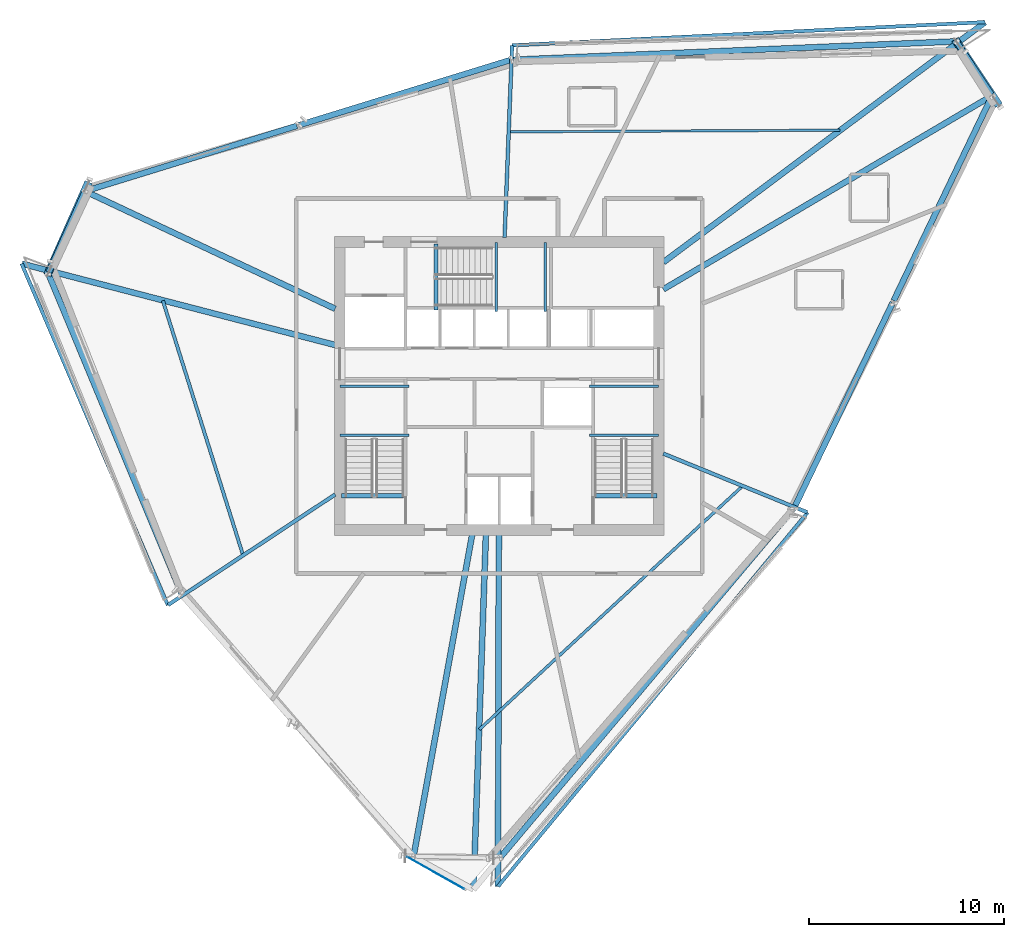
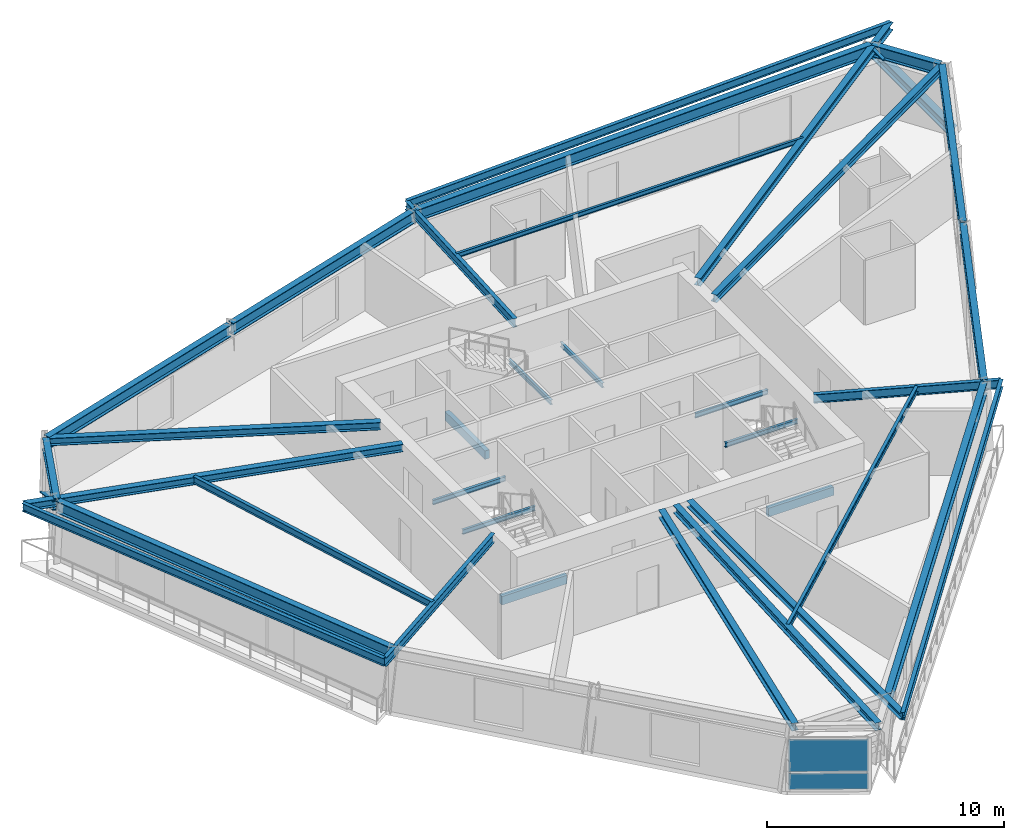
# One storey, part 3 of 13: 34 beams, 2 members, 2 plates, 1 element without a shape of its own.
"""IFC4 building model written with IfcOpenShell, lengths in metres."""

from ifc_helpers import new_model, si_unit, direction, frame, origin, origin_2d, place, context, subcontext, project, spatial, rectangle, i_section, extrude, source, transform, mapped, material, material_profile, profile_set, type_object, element, aggregate, save


model = new_model("IFC4")

# Units and contexts
model_context = context("Model", 3, precision=1e-05, world=origin(), true_north=direction((0.0, 1.0)))
body_context = subcontext(model_context, "Body", "Model", "MODEL_VIEW")
ifc_project = project(units=[si_unit("LENGTHUNIT", "METRE"), si_unit("AREAUNIT", "SQUARE_METRE"), si_unit("VOLUMEUNIT", "CUBIC_METRE"), si_unit("PLANEANGLEUNIT", "RADIAN"), si_unit("MASSUNIT", "GRAM", prefix="KILO")], contexts=[model_context])

# Site, building, storey
site_placement = place(None, origin())
site = spatial("IfcSite", under=ifc_project, at=site_placement, CompositionType="ELEMENT")
building_placement = place(site_placement, origin())
building = spatial("IfcBuilding", under=site, at=building_placement, Name="Olszyna Solenne Hotel", CompositionType="ELEMENT")
storey_placement = place(building_placement, frame((0.0, 0.0, 167.89990234375)))
storey = spatial("IfcBuildingStorey", under=building, at=storey_placement, Name="L44", CompositionType="ELEMENT", Elevation=167.89990234375)

# Beams
ifc_material_1 = material(Name="Steel S355J2", Category="steel")
ifc_material_profile_1 = material_profile(ifc_material_1, i_section(OverallWidth=0.300048828125, OverallDepth=0.60009765625, WebThickness=0.015380859375, FlangeThickness=0.030029296875, at=origin_2d()), Name="HEB 600", Category="load-bearing")
ifc_profile_set_1 = profile_set([ifc_material_profile_1], Name="Steel S355J2")
beam_type_1 = type_object("IfcBeamType", Name="BM-S2", PredefinedType="BEAM", material=ifc_profile_set_1)
shared_shape_1 = source(origin(), body_context, "Body", "SweptSolid", [
    extrude(i_section(OverallWidth=0.300048828125, OverallDepth=0.60009765625, WebThickness=0.015380859375, FlangeThickness=0.030029296875, at=origin_2d()), origin(), (0.0, 0.0, 1.0), 3.208984375),
])
beam_1_placement = place(storey_placement, frame((63.215576171875, 41.522705078125, 3.030029296875), z_axis=(-0.551201466386, 0.834372185211, 0.0), x_axis=(-0.834372185211, -0.551201466386, 0.0)))
element("IfcBeam", 1, at=beam_1_placement, inside=storey, type_object=beam_type_1, Name="Perimeter spandrel beam BM-S2 B-L44-1304", PredefinedType="BEAM", context=body_context, shape_type="MappedRepresentation", body=[
    mapped(shared_shape_1, transform((0.0, 0.0, 0.0), x_axis=(1.0, 0.0, 0.0), y_axis=(0.0, 1.0, 0.0), z_axis=(0.0, 0.0, 1.0), scale=1.0)),
])
shared_shape_2 = source(origin(), body_context, "Body", "SweptSolid", [
    extrude(i_section(OverallWidth=0.300048828125, OverallDepth=0.60009765625, WebThickness=0.015380859375, FlangeThickness=0.030029296875, at=origin_2d()), origin(), (0.0, 0.0, 1.0), 22.71337890625),
])
beam_2_placement = place(storey_placement, frame((61.353759765625, 44.247802734375, 3.030029296875), z_axis=(-0.999144251363, -0.04136139466, 0.0), x_axis=(0.04136139466, -0.999144251363, 0.0)))
element("IfcBeam", 2, at=beam_2_placement, inside=storey, type_object=beam_type_1, Name="Perimeter spandrel beam BM-S2 B-L44-1305", PredefinedType="BEAM", context=body_context, shape_type="MappedRepresentation", body=[
    mapped(shared_shape_2, transform((0.0, 0.0, 0.0), x_axis=(1.0, 0.0, 0.0), y_axis=(0.0, 1.0, 0.0), z_axis=(0.0, 0.0, 1.0), scale=1.0)),
])
shared_shape_3 = source(origin(), body_context, "Body", "SweptSolid", [
    extrude(i_section(OverallWidth=0.300048828125, OverallDepth=0.60009765625, WebThickness=0.015380859375, FlangeThickness=0.030029296875, at=origin_2d()), origin(), (0.0, 0.0, 1.0), 11.296630859375),
])
for number, where, z_axis, x_axis, name in (
    (3, (38.542724609375, 43.2880859375, 3.030029296875), (-0.955610162413, -0.294634039943, 0.0), (0.294634039943, -0.955610162413, 0.0), "Perimeter spandrel beam BM-S2 B-L44-1306"),
    (4, (27.633056640625, 39.92431640625, 3.030029296875), (-0.955604077324, -0.294653775476, 0.0), (0.294653775476, -0.955604077324, 0.0), "Perimeter spandrel beam BM-S2 B-L44-1307"),
):
    element("IfcBeam", number, at=place(storey_placement, frame(where, z_axis=z_axis, x_axis=x_axis)), inside=storey, type_object=beam_type_1, Name=name, PredefinedType="BEAM", context=body_context, shape_type="MappedRepresentation", body=[
        mapped(shared_shape_3, transform((0.0, 0.0, 0.0), x_axis=(1.0, 0.0, 0.0), y_axis=(0.0, 1.0, 0.0), z_axis=(0.0, 0.0, 1.0), scale=1.0)),
    ])
shared_shape_4 = source(origin(), body_context, "Body", "SweptSolid", [
    extrude(i_section(OverallWidth=0.300048828125, OverallDepth=0.60009765625, WebThickness=0.015380859375, FlangeThickness=0.030029296875, at=origin_2d()), origin(), (0.0, 0.0, 1.0), 4.493896484375),
])
beam_3_placement = place(storey_placement, frame((16.756103515625, 36.523193359375, 3.030029296875), z_axis=(-0.408269566495, -0.912861413947, 0.0), x_axis=(0.912861413947, -0.408269566495, 0.0)))
element("IfcBeam", 5, at=beam_3_placement, inside=storey, type_object=beam_type_1, Name="Perimeter spandrel beam BM-S2 B-L44-1308", PredefinedType="BEAM", context=body_context, shape_type="MappedRepresentation", body=[
    mapped(shared_shape_4, transform((0.0, 0.0, 0.0), x_axis=(1.0, 0.0, 0.0), y_axis=(0.0, 1.0, 0.0), z_axis=(0.0, 0.0, 1.0), scale=1.0)),
])
shared_shape_5 = source(origin(), body_context, "Body", "SweptSolid", [
    extrude(i_section(OverallWidth=0.300048828125, OverallDepth=0.60009765625, WebThickness=0.015380859375, FlangeThickness=0.030029296875, at=origin_2d()), origin(), (0.0, 0.0, 1.0), 17.751708984375),
])
beam_4_placement = place(storey_placement, frame((14.919921875, 32.310791015625, 3.030029296875), z_axis=(0.384327285518, -0.92319691161, 0.0), x_axis=(0.92319691161, 0.384327285518, 0.0)))
element("IfcBeam", 6, at=beam_4_placement, inside=storey, type_object=beam_type_1, Name="Perimeter spandrel beam BM-S2 B-L44-1309", PredefinedType="BEAM", context=body_context, shape_type="MappedRepresentation", body=[
    mapped(shared_shape_5, transform((0.0, 0.0, 0.0), x_axis=(1.0, 0.0, 0.0), y_axis=(0.0, 1.0, 0.0), z_axis=(0.0, 0.0, 1.0), scale=1.0)),
])
shared_shape_6 = source(origin(), body_context, "Body", "SweptSolid", [
    extrude(i_section(OverallWidth=0.300048828125, OverallDepth=0.60009765625, WebThickness=0.015380859375, FlangeThickness=0.030029296875, at=origin_2d()), origin(), (0.0, 0.0, 1.0), 23.28955078125),
])
beam_5_placement = place(storey_placement, frame((38.0908203125, 2.496826171875, 3.030029296875), z_axis=(0.64347083342, 0.765470630748, 0.0), x_axis=(-0.765470630748, 0.64347083342, 0.0)))
element("IfcBeam", 7, at=beam_5_placement, inside=storey, type_object=beam_type_1, Name="Perimeter spandrel beam BM-S2 B-L44-1313", PredefinedType="BEAM", context=body_context, shape_type="MappedRepresentation", body=[
    mapped(shared_shape_6, transform((0.0, 0.0, 0.0), x_axis=(1.0, 0.0, 0.0), y_axis=(0.0, 1.0, 0.0), z_axis=(0.0, 0.0, 1.0), scale=1.0)),
])
shared_shape_7 = source(origin(), body_context, "Body", "SweptSolid", [
    extrude(i_section(OverallWidth=0.300048828125, OverallDepth=0.60009765625, WebThickness=0.015380859375, FlangeThickness=0.030029296875, at=origin_2d()), origin(), (0.0, 0.0, 1.0), 11.58447265625),
])
for number, where, z_axis, x_axis, name in (
    (8, (53.141357421875, 20.42431640625, 3.030029296875), (0.432876310888, 0.901453326286, 0.0), (-0.901453326286, 0.432876310888, 0.0), "Perimeter spandrel beam BM-S2 B-L44-1314"),
    (9, (58.2080078125, 30.9755859375, 3.030029296875), (0.432876310888, 0.901453326286, 0.0), (-0.901453326286, 0.432876310888, 0.0), "Perimeter spandrel beam BM-S2 B-L44-1315"),
):
    element("IfcBeam", number, at=place(storey_placement, frame(where, z_axis=z_axis, x_axis=x_axis)), inside=storey, type_object=beam_type_1, Name=name, PredefinedType="BEAM", context=body_context, shape_type="MappedRepresentation", body=[
        mapped(shared_shape_7, transform((0.0, 0.0, 0.0), x_axis=(1.0, 0.0, 0.0), y_axis=(0.0, 1.0, 0.0), z_axis=(0.0, 0.0, 1.0), scale=1.0)),
    ])
ifc_material_profile_2 = material_profile(ifc_material_1, i_section(OverallWidth=0.300048828125, OverallDepth=0.389892578125, WebThickness=0.010986328125, FlangeThickness=0.01904296875, at=origin_2d()), Name="HEA 400", Category="load-bearing")
ifc_profile_set_2 = profile_set([ifc_material_profile_2], Name="Steel S355J2")
beam_type_2 = type_object("IfcBeamType", Name="BM-G2", PredefinedType="BEAM", material=ifc_profile_set_2)
shared_shape_8 = source(origin(), body_context, "Body", "SweptSolid", [
    extrude(i_section(OverallWidth=0.300048828125, OverallDepth=0.389892578125, WebThickness=0.010986328125, FlangeThickness=0.01904296875, at=origin_2d()), origin(), (0.0, 0.0, 1.0), 19.486328125),
])
beam_6_placement = place(storey_placement, frame((63.197021484375, 41.442138671875, 3.135009765625), z_axis=(-0.861628085849, -0.507540187253, 0.0), x_axis=(0.507540187253, -0.861628085849, 0.0)))
element("IfcBeam", 10, at=beam_6_placement, inside=storey, type_object=beam_type_2, Name="Radial floor girder BM-G2 B-L44-1316", PredefinedType="BEAM", context=body_context, shape_type="MappedRepresentation", body=[
    mapped(shared_shape_8, transform((0.0, 0.0, 0.0), x_axis=(1.0, 0.0, 0.0), y_axis=(0.0, 1.0, 0.0), z_axis=(0.0, 0.0, 1.0), scale=1.0)),
])
shared_shape_9 = source(origin(), body_context, "Body", "SweptSolid", [
    extrude(i_section(OverallWidth=0.300048828125, OverallDepth=0.389892578125, WebThickness=0.010986328125, FlangeThickness=0.01904296875, at=origin_2d()), origin(), (0.0, 0.0, 1.0), 20.54736328125),
])
beam_7_placement = place(storey_placement, frame((62.87890625, 45.22705078125, 3.135009765625), z_axis=(-0.801503151116, -0.59799055072, 0.0), x_axis=(0.59799055072, -0.801503151116, 0.0)))
element("IfcBeam", 11, at=beam_7_placement, inside=storey, type_object=beam_type_2, Name="Radial floor girder BM-G2 B-L44-1317", PredefinedType="BEAM", context=body_context, shape_type="MappedRepresentation", body=[
    mapped(shared_shape_9, transform((0.0, 0.0, 0.0), x_axis=(1.0, 0.0, 0.0), y_axis=(0.0, 1.0, 0.0), z_axis=(0.0, 0.0, 1.0), scale=1.0)),
])
ifc_material_profile_3 = material_profile(ifc_material_1, i_section(OverallWidth=0.18994140625, OverallDepth=0.449951171875, WebThickness=0.009521484375, FlangeThickness=0.0146484375, at=origin_2d()), Name="IPE 450", Category="load-bearing")
ifc_profile_set_3 = profile_set([ifc_material_profile_3], Name="Steel S355J2")
beam_type_3 = type_object("IfcBeamType", Name="BM-F4", PredefinedType="BEAM", material=ifc_profile_set_3)
shared_shape_10 = source(origin(), body_context, "Body", "SweptSolid", [
    extrude(i_section(OverallWidth=0.18994140625, OverallDepth=0.449951171875, WebThickness=0.009521484375, FlangeThickness=0.0146484375, at=origin_2d()), origin(), (0.0, 0.0, 1.0), 9.837646484375),
])
beam_8_placement = place(storey_placement, frame((38.658447265625, 44.030029296875, 3.10498046875), z_axis=(-0.039186052556, -0.999231931678, 0.0), x_axis=(0.999231931678, -0.039186052556, 0.0)))
element("IfcBeam", 12, at=beam_8_placement, inside=storey, type_object=beam_type_3, Name="Radial floor girder BM-F4 B-L44-1318", PredefinedType="BEAM", context=body_context, shape_type="MappedRepresentation", body=[
    mapped(shared_shape_10, transform((0.0, 0.0, 0.0), x_axis=(1.0, 0.0, 0.0), y_axis=(0.0, 1.0, 0.0), z_axis=(0.0, 0.0, 1.0), scale=1.0)),
])
shared_shape_11 = source(origin(), body_context, "Body", "SweptSolid", [
    extrude(i_section(OverallWidth=0.300048828125, OverallDepth=0.389892578125, WebThickness=0.010986328125, FlangeThickness=0.01904296875, at=origin_2d()), origin(), (0.0, 0.0, 1.0), 14.1005859375),
])
beam_9_placement = place(storey_placement, frame((16.8349609375, 36.552490234375, 3.135009765625), z_axis=(0.904943835431, -0.425531026736, 0.0), x_axis=(0.425531026736, 0.904943835431, 0.0)))
element("IfcBeam", 13, at=beam_9_placement, inside=storey, type_object=beam_type_2, Name="Radial floor girder BM-G2 B-L44-1319", PredefinedType="BEAM", context=body_context, shape_type="MappedRepresentation", body=[
    mapped(shared_shape_11, transform((0.0, 0.0, 0.0), x_axis=(1.0, 0.0, 0.0), y_axis=(0.0, 1.0, 0.0), z_axis=(0.0, 0.0, 1.0), scale=1.0)),
])
shared_shape_12 = source(origin(), body_context, "Body", "SweptSolid", [
    extrude(i_section(OverallWidth=0.300048828125, OverallDepth=0.389892578125, WebThickness=0.010986328125, FlangeThickness=0.01904296875, at=origin_2d()), origin(), (0.0, 0.0, 1.0), 16.576904296875),
])
beam_10_placement = place(storey_placement, frame((13.552978515625, 32.861083984375, 3.135009765625), z_axis=(0.967936179478, -0.25119624292, 0.0), x_axis=(0.25119624292, 0.967936179478, 0.0)))
element("IfcBeam", 14, at=beam_10_placement, inside=storey, type_object=beam_type_2, Name="Radial floor girder BM-G2 B-L44-1320", PredefinedType="BEAM", context=body_context, shape_type="MappedRepresentation", body=[
    mapped(shared_shape_12, transform((0.0, 0.0, 0.0), x_axis=(1.0, 0.0, 0.0), y_axis=(0.0, 1.0, 0.0), z_axis=(0.0, 0.0, 1.0), scale=1.0)),
])
shared_shape_13 = source(origin(), body_context, "Body", "SweptSolid", [
    extrude(i_section(OverallWidth=0.18994140625, OverallDepth=0.449951171875, WebThickness=0.009521484375, FlangeThickness=0.0146484375, at=origin_2d()), origin(), (0.0, 0.0, 1.0), 10.25244140625),
])
beam_11_placement = place(storey_placement, frame((21.04150390625, 15.383544921875, 3.10498046875), z_axis=(0.833968626715, 0.551811860741, 0.0), x_axis=(-0.551811860741, 0.833968626715, 0.0)))
element("IfcBeam", 15, at=beam_11_placement, inside=storey, type_object=beam_type_3, Name="Radial floor girder BM-F4 B-L44-1321", PredefinedType="BEAM", context=body_context, shape_type="MappedRepresentation", body=[
    mapped(shared_shape_13, transform((0.0, 0.0, 0.0), x_axis=(1.0, 0.0, 0.0), y_axis=(0.0, 1.0, 0.0), z_axis=(0.0, 0.0, 1.0), scale=1.0)),
])
shared_shape_14 = source(origin(), body_context, "Body", "SweptSolid", [
    extrude(i_section(OverallWidth=0.300048828125, OverallDepth=0.389892578125, WebThickness=0.010986328125, FlangeThickness=0.01904296875, at=origin_2d()), origin(), (0.0, 0.0, 1.0), 16.72900390625),
])
beam_12_placement = place(storey_placement, frame((33.61865234375, 2.541015625, 3.135009765625), z_axis=(0.17915512737, 0.983820837519, 0.0), x_axis=(-0.983820837519, 0.17915512737, 0.0)))
element("IfcBeam", 16, at=beam_12_placement, inside=storey, type_object=beam_type_2, Name="Radial floor girder BM-G2 B-L44-1322", PredefinedType="BEAM", context=body_context, shape_type="MappedRepresentation", body=[
    mapped(shared_shape_14, transform((0.0, 0.0, 0.0), x_axis=(1.0, 0.0, 0.0), y_axis=(0.0, 1.0, 0.0), z_axis=(0.0, 0.0, 1.0), scale=1.0)),
])
shared_shape_15 = source(origin(), body_context, "Body", "SweptSolid", [
    extrude(i_section(OverallWidth=0.300048828125, OverallDepth=0.389892578125, WebThickness=0.010986328125, FlangeThickness=0.01904296875, at=origin_2d()), origin(), (0.0, 0.0, 1.0), 18.19091796875),
])
beam_13_placement = place(storey_placement, frame((36.680419921875, 0.820068359375, 3.135009765625), z_axis=(0.034975365054, 0.999388174755, 0.0), x_axis=(-0.999388174755, 0.034975365054, 0.0)))
element("IfcBeam", 17, at=beam_13_placement, inside=storey, type_object=beam_type_2, Name="Radial floor girder BM-G2 B-L44-1323", PredefinedType="BEAM", context=body_context, shape_type="MappedRepresentation", body=[
    mapped(shared_shape_15, transform((0.0, 0.0, 0.0), x_axis=(1.0, 0.0, 0.0), y_axis=(0.0, 1.0, 0.0), z_axis=(0.0, 0.0, 1.0), scale=1.0)),
])
shared_shape_16 = source(origin(), body_context, "Body", "SweptSolid", [
    extrude(i_section(OverallWidth=0.18994140625, OverallDepth=0.449951171875, WebThickness=0.009521484375, FlangeThickness=0.0146484375, at=origin_2d()), origin(), (0.0, 0.0, 1.0), 7.96484375),
])
beam_14_placement = place(storey_placement, frame((53.778564453125, 20.1279296875, 3.10498046875), z_axis=(-0.925916133957, 0.377729152804, 0.0), x_axis=(-0.377729152804, -0.925916133957, 0.0)))
element("IfcBeam", 18, at=beam_14_placement, inside=storey, type_object=beam_type_3, Name="Radial floor girder BM-F4 B-L44-1324", PredefinedType="BEAM", context=body_context, shape_type="MappedRepresentation", body=[
    mapped(shared_shape_16, transform((0.0, 0.0, 0.0), x_axis=(1.0, 0.0, 0.0), y_axis=(0.0, 1.0, 0.0), z_axis=(0.0, 0.0, 1.0), scale=1.0)),
])
ifc_material_profile_4 = material_profile(ifc_material_1, i_section(OverallWidth=0.300048828125, OverallDepth=0.31005859375, WebThickness=0.009033203125, FlangeThickness=0.015380859375, at=origin_2d()), Name="HEA 320", Category="load-bearing")
ifc_profile_set_4 = profile_set([ifc_material_profile_4], Name="Steel S355J2")
beam_type_4 = type_object("IfcBeamType", Name="BM-G3", PredefinedType="BEAM", material=ifc_profile_set_4)
shared_shape_17 = source(origin(), body_context, "Body", "SweptSolid", [
    extrude(i_section(OverallWidth=0.300048828125, OverallDepth=0.31005859375, WebThickness=0.009033203125, FlangeThickness=0.015380859375, at=origin_2d()), origin(), (0.0, 0.0, 1.0), 18.03759765625),
])
beam_15_placement = place(storey_placement, frame((37.93408203125, 0.96240234375, 3.175048828125), z_axis=(0.002571659832, 0.999996693277, 0.0), x_axis=(-0.999996693277, 0.002571659832, 0.0)))
element("IfcBeam", 19, at=beam_15_placement, inside=storey, type_object=beam_type_4, Name="Loggia/prism radial back-span girder BM-G3 B-L44-1327", PredefinedType="BEAM", context=body_context, shape_type="MappedRepresentation", body=[
    mapped(shared_shape_17, transform((0.0, 0.0, 0.0), x_axis=(1.0, 0.0, 0.0), y_axis=(0.0, 1.0, 0.0), z_axis=(0.0, 0.0, 1.0), scale=1.0)),
])
ifc_material_profile_5 = material_profile(ifc_material_1, i_section(OverallWidth=0.1201171875, OverallDepth=0.239990234375, WebThickness=0.006103515625, FlangeThickness=0.009765625, at=origin_2d()), Name="IPE 240", Category="load-bearing")
ifc_profile_set_5 = profile_set([ifc_material_profile_5], Name="Steel S355J2")
beam_type_5 = type_object("IfcBeamType", Name="JS-03", PredefinedType="JOIST", material=ifc_profile_set_5)
shared_shape_18 = source(origin(), body_context, "Body", "SweptSolid", [
    extrude(i_section(OverallWidth=0.1201171875, OverallDepth=0.239990234375, WebThickness=0.006103515625, FlangeThickness=0.009765625, at=origin_2d()), origin(), (0.0, 0.0, 1.0), 16.95166015625),
])
beam_16_placement = place(storey_placement, frame((55.456787109375, 39.704345703125, 3.210205078125), z_axis=(-0.999986929677, -0.00511277577, 0.0), x_axis=(0.00511277577, -0.999986929677, 0.0)))
element("IfcBeam", 20, at=beam_16_placement, inside=storey, type_object=beam_type_5, Name="Secondary composite floor joist JS-03 B-L44-1328", PredefinedType="JOIST", context=body_context, shape_type="MappedRepresentation", body=[
    mapped(shared_shape_18, transform((0.0, 0.0, 0.0), x_axis=(1.0, 0.0, 0.0), y_axis=(0.0, 1.0, 0.0), z_axis=(0.0, 0.0, 1.0), scale=1.0)),
])
ifc_material_profile_6 = material_profile(ifc_material_1, i_section(OverallWidth=0.169921875, OverallDepth=0.360107421875, WebThickness=0.008056640625, FlangeThickness=0.0126953125, at=origin_2d()), Name="IPE 360", Category="load-bearing")
ifc_profile_set_6 = profile_set([ifc_material_profile_6], Name="Steel S355J2")
beam_type_6 = type_object("IfcBeamType", Name="JS-01", PredefinedType="JOIST", material=ifc_profile_set_6)
shared_shape_19 = source(origin(), body_context, "Body", "SweptSolid", [
    extrude(i_section(OverallWidth=0.169921875, OverallDepth=0.360107421875, WebThickness=0.008056640625, FlangeThickness=0.0126953125, at=origin_2d()), origin(), (0.0, 0.0, 1.0), 13.659912109375),
])
beam_17_placement = place(storey_placement, frame((20.768798828125, 30.970703125, 3.150146484375), z_axis=(0.300533398297, -0.95377129151, 0.0), x_axis=(0.95377129151, 0.300533398297, 0.0)))
element("IfcBeam", 21, at=beam_17_placement, inside=storey, type_object=beam_type_6, Name="Secondary composite floor joist JS-01 B-L44-1329", PredefinedType="JOIST", context=body_context, shape_type="MappedRepresentation", body=[
    mapped(shared_shape_19, transform((0.0, 0.0, 0.0), x_axis=(1.0, 0.0, 0.0), y_axis=(0.0, 1.0, 0.0), z_axis=(0.0, 0.0, 1.0), scale=1.0)),
])
ifc_material_profile_7 = material_profile(ifc_material_1, i_section(OverallWidth=0.14990234375, OverallDepth=0.300048828125, WebThickness=0.007080078125, FlangeThickness=0.0107421875, at=origin_2d()), Name="IPE 300", Category="load-bearing")
ifc_profile_set_7 = profile_set([ifc_material_profile_7], Name="Steel S355J2")
beam_type_7 = type_object("IfcBeamType", Name="JS-02", PredefinedType="JOIST", material=ifc_profile_set_7)
shared_shape_20 = source(origin(), body_context, "Body", "SweptSolid", [
    extrude(i_section(OverallWidth=0.14990234375, OverallDepth=0.300048828125, WebThickness=0.007080078125, FlangeThickness=0.0107421875, at=origin_2d()), origin(), (0.0, 0.0, 1.0), 18.352783203125),
])
beam_18_placement = place(storey_placement, frame((36.98095703125, 9.00341796875, 3.18017578125), z_axis=(0.73419011463, 0.678943941412, 0.0), x_axis=(-0.678943941412, 0.73419011463, 0.0)))
element("IfcBeam", 22, at=beam_18_placement, inside=storey, type_object=beam_type_7, Name="Secondary composite floor joist JS-02 B-L44-1330", PredefinedType="JOIST", context=body_context, shape_type="MappedRepresentation", body=[
    mapped(shared_shape_20, transform((0.0, 0.0, 0.0), x_axis=(1.0, 0.0, 0.0), y_axis=(0.0, 1.0, 0.0), z_axis=(0.0, 0.0, 1.0), scale=1.0)),
])
ifc_material_profile_8 = material_profile(ifc_material_1, i_section(OverallWidth=0.179931640625, OverallDepth=0.39990234375, WebThickness=0.008544921875, FlangeThickness=0.013427734375, at=origin_2d()), Name="IPE 400", Category="load-bearing")
ifc_profile_set_8 = profile_set([ifc_material_profile_8], Name="Steel S355J2")
beam_type_8 = type_object("IfcBeamType", Name="BM-F5", PredefinedType="BEAM", material=ifc_profile_set_8)
shared_shape_21 = source(origin(), body_context, "Body", "SweptSolid", [
    extrude(i_section(OverallWidth=0.179931640625, OverallDepth=0.39990234375, WebThickness=0.008544921875, FlangeThickness=0.013427734375, at=origin_2d()), origin(), (0.0, 0.0, 1.0), 24.264892578125),
])
beam_19_placement = place(storey_placement, frame((62.89501953125, 45.239013671875, 3.130126953125), z_axis=(-0.998798817949, -0.048999196569, 0.0), x_axis=(0.048999196569, -0.998798817949, 0.0)))
element("IfcBeam", 23, at=beam_19_placement, inside=storey, type_object=beam_type_8, Name="Loggia outer edge beam BM-F5 B-L44-1331", PredefinedType="BEAM", context=body_context, shape_type="MappedRepresentation", body=[
    mapped(shared_shape_21, transform((0.0, 0.0, 0.0), x_axis=(1.0, 0.0, 0.0), y_axis=(0.0, 1.0, 0.0), z_axis=(0.0, 0.0, 1.0), scale=1.0)),
])
shared_shape_22 = source(origin(), body_context, "Body", "SweptSolid", [
    extrude(i_section(OverallWidth=0.179931640625, OverallDepth=0.39990234375, WebThickness=0.008544921875, FlangeThickness=0.013427734375, at=origin_2d()), origin(), (0.0, 0.0, 1.0), 19.030029296875),
])
beam_20_placement = place(storey_placement, frame((13.53369140625, 32.865966796875, 3.130126953125), z_axis=(0.393654511845, -0.919258464908, 0.0), x_axis=(0.919258464908, 0.393654511845, 0.0)))
element("IfcBeam", 24, at=beam_20_placement, inside=storey, type_object=beam_type_8, Name="Loggia outer edge beam BM-F5 B-L44-1332", PredefinedType="BEAM", context=body_context, shape_type="MappedRepresentation", body=[
    mapped(shared_shape_22, transform((0.0, 0.0, 0.0), x_axis=(1.0, 0.0, 0.0), y_axis=(0.0, 1.0, 0.0), z_axis=(0.0, 0.0, 1.0), scale=1.0)),
])
shared_shape_23 = source(origin(), body_context, "Body", "SweptSolid", [
    extrude(i_section(OverallWidth=0.179931640625, OverallDepth=0.39990234375, WebThickness=0.008544921875, FlangeThickness=0.013427734375, at=origin_2d()), origin(), (0.0, 0.0, 1.0), 24.873046875),
])
beam_21_placement = place(storey_placement, frame((37.93408203125, 0.96240234375, 3.130126953125), z_axis=(0.637762750014, 0.770232870432, 0.0), x_axis=(-0.770232870432, 0.637762750014, 0.0)))
element("IfcBeam", 25, at=beam_21_placement, inside=storey, type_object=beam_type_8, Name="Loggia outer edge beam BM-F5 B-L44-1333", PredefinedType="BEAM", context=body_context, shape_type="MappedRepresentation", body=[
    mapped(shared_shape_23, transform((0.0, 0.0, 0.0), x_axis=(1.0, 0.0, 0.0), y_axis=(0.0, 1.0, 0.0), z_axis=(0.0, 0.0, 1.0), scale=1.0)),
])

# Members
ifc_material_2 = material(Name="Steel S460M", Category="steel")
ifc_material_profile_9 = material_profile(ifc_material_2, i_section(OverallWidth=0.406005859375, OverallDepth=0.416015625, WebThickness=0.026611328125, FlangeThickness=0.04150390625, at=origin_2d()), Name="HD 400x382", Category="load-bearing")
ifc_profile_set_9 = profile_set([ifc_material_profile_9], Name="Steel S460M")
member_type = type_object("IfcMemberType", Name="BR-T2", PredefinedType="BRACE", material=ifc_profile_set_9)
shared_shape_24 = source(origin(), body_context, "Body", "SweptSolid", [
    extrude(i_section(OverallWidth=0.406005859375, OverallDepth=0.416015625, WebThickness=0.026611328125, FlangeThickness=0.04150390625, at=origin_2d()), origin(), (0.0, 0.0, 1.0), 4.841552734375),
])
member_1_placement = place(storey_placement, frame((63.526611328125, 41.082275390625, 0.010009765625), z_axis=(-0.436434543795, 0.654324048559, 0.617563703969), x_axis=(-0.831922047378, -0.5548925185, 0.0)))
element("IfcMember", 26, at=member_1_placement, inside=storey, type_object=member_type, Name="Perimeter braced-tube diagonal BR-T2 BR-L44-1", PredefinedType="BRACE", context=body_context, shape_type="MappedRepresentation", body=[
    mapped(shared_shape_24, transform((0.0, 0.0, 0.0), x_axis=(1.0, 0.0, 0.0), y_axis=(0.0, 1.0, 0.0), z_axis=(0.0, 0.0, 1.0), scale=1.0)),
])
shared_shape_25 = source(origin(), body_context, "Body", "SweptSolid", [
    extrude(i_section(OverallWidth=0.406005859375, OverallDepth=0.416015625, WebThickness=0.026611328125, FlangeThickness=0.04150390625, at=origin_2d()), origin(), (0.0, 0.0, 1.0), 5.82958984375),
])
member_2_placement = place(storey_placement, frame((16.92041015625, 36.943115234375, 0.010009765625), z_axis=(-0.347143384605, -0.785124506114, 0.512904455453), x_axis=(0.914588431463, -0.404385955534, 0.0)))
element("IfcMember", 27, at=member_2_placement, inside=storey, type_object=member_type, Name="Perimeter braced-tube diagonal BR-T2 BR-L44-2", PredefinedType="BRACE", context=body_context, shape_type="MappedRepresentation", body=[
    mapped(shared_shape_25, transform((0.0, 0.0, 0.0), x_axis=(1.0, 0.0, 0.0), y_axis=(0.0, 1.0, 0.0), z_axis=(0.0, 0.0, 1.0), scale=1.0)),
])

# Beams
shared_shape_26 = source(origin(), body_context, "Body", "SweptSolid", [
    extrude(i_section(OverallWidth=0.1201171875, OverallDepth=0.239990234375, WebThickness=0.006103515625, FlangeThickness=0.009765625, at=origin_2d()), origin(), (0.0, 0.0, 1.0), 3.539794921875),
])
for number, where, z_axis, x_axis, name in (
    (28, (33.3798828125, 24.070068359375, 1.4501953125), (-1.0, 0.0, 0.0), (0.0, -1.0, 0.0), "Stair landing support beam JS-03 SLB-ST1-0093"),
    (29, (33.3798828125, 26.580078125, 1.4501953125), (-1.0, 0.0, 0.0), (0.0, -1.0, 0.0), "Stair landing support beam JS-03 SLB-ST1-0094"),
    (30, (46.159912109375, 24.070068359375, 1.4501953125), (-1.0, 0.0, 0.0), (0.0, -1.0, 0.0), "Stair landing support beam JS-03 SLB-ST2-0333"),
    (31, (46.159912109375, 26.580078125, 1.4501953125), (-1.0, 0.0, 0.0), (0.0, -1.0, 0.0), "Stair landing support beam JS-03 SLB-ST2-0334"),
):
    element("IfcBeam", number, at=place(storey_placement, frame(where, z_axis=z_axis, x_axis=x_axis)), inside=storey, type_object=beam_type_5, Name=name, PredefinedType="JOIST", context=body_context, shape_type="MappedRepresentation", body=[
        mapped(shared_shape_26, transform((0.0, 0.0, 0.0), x_axis=(1.0, 0.0, 0.0), y_axis=(0.0, 1.0, 0.0), z_axis=(0.0, 0.0, 1.0), scale=1.0)),
    ])
ifc_material_3 = material(Name="Concrete C50/60", Category="concrete")
ifc_material_profile_10 = material_profile(ifc_material_3, rectangle(XDim=0.219970703125, YDim=0.43994140625, at=origin_2d()), Name="RC 220x440", Category="load-bearing")
ifc_profile_set_10 = profile_set([ifc_material_profile_10], Name="Concrete C50/60")
beam_type_9 = type_object("IfcBeamType", Name="BM-ST1", PredefinedType="BEAM", material=ifc_profile_set_10)
shared_shape_27 = source(origin(), body_context, "Body", "SweptSolid", [
    extrude(rectangle(XDim=0.219970703125, YDim=0.43994140625, at=origin_2d()), origin(), (0.0, 0.0, 1.0), 3.18017578125),
])
for number, where, z_axis, x_axis, name in (
    (32, (33.10009765625, 20.97998046875, -0.204833984375), (-1.0, 0.0, 0.0), (0.0, -1.0, 0.0), "Concrete stair trimmer beam BM-ST1 SHB-ST1-0206"),
    (33, (46.080078125, 20.97998046875, -0.204833984375), (-1.0, 0.0, 0.0), (0.0, -1.0, 0.0), "Concrete stair trimmer beam BM-ST1 SHB-ST2-0446"),
):
    element("IfcBeam", number, at=place(storey_placement, frame(where, z_axis=z_axis, x_axis=x_axis)), inside=storey, type_object=beam_type_9, Name=name, PredefinedType="BEAM", context=body_context, shape_type="MappedRepresentation", body=[
        mapped(shared_shape_27, transform((0.0, 0.0, 0.0), x_axis=(1.0, 0.0, 0.0), y_axis=(0.0, 1.0, 0.0), z_axis=(0.0, 0.0, 1.0), scale=1.0)),
    ])
shared_shape_28 = source(origin(), body_context, "Body", "SweptSolid", [
    extrude(i_section(OverallWidth=0.1201171875, OverallDepth=0.239990234375, WebThickness=0.006103515625, FlangeThickness=0.009765625, at=origin_2d()), origin(), (0.0, 0.0, 1.0), 3.5400390625),
])
for number, where, z_axis, x_axis, name in (
    (34, (37.85009765625, 30.419921875, 1.4501953125), (0.0, 1.0, 0.0), (-1.0, 0.0, 0.0), "Stair landing support beam JS-03 SLB-ST3-0573"),
    (35, (40.360107421875, 30.419921875, 1.4501953125), (0.0, 1.0, 0.0), (-1.0, 0.0, 0.0), "Stair landing support beam JS-03 SLB-ST3-0574"),
):
    element("IfcBeam", number, at=place(storey_placement, frame(where, z_axis=z_axis, x_axis=x_axis)), inside=storey, type_object=beam_type_5, Name=name, PredefinedType="JOIST", context=body_context, shape_type="MappedRepresentation", body=[
        mapped(shared_shape_28, transform((0.0, 0.0, 0.0), x_axis=(1.0, 0.0, 0.0), y_axis=(0.0, 1.0, 0.0), z_axis=(0.0, 0.0, 1.0), scale=1.0)),
    ])
shared_shape_29 = source(origin(), body_context, "Body", "SweptSolid", [
    extrude(rectangle(XDim=0.219970703125, YDim=0.43994140625, at=origin_2d()), origin(), (0.0, 0.0, 1.0), 3.3798828125),
])
beam_22_placement = place(storey_placement, frame((34.760009765625, 30.5, -0.204833984375), z_axis=(0.0, 1.0, 0.0), x_axis=(-1.0, 0.0, 0.0)))
element("IfcBeam", 36, at=beam_22_placement, inside=storey, type_object=beam_type_9, Name="Concrete stair trimmer beam BM-ST1 SHB-ST3-0684", PredefinedType="BEAM", context=body_context, shape_type="MappedRepresentation", body=[
    mapped(shared_shape_29, transform((0.0, 0.0, 0.0), x_axis=(1.0, 0.0, 0.0), y_axis=(0.0, 1.0, 0.0), z_axis=(0.0, 0.0, 1.0), scale=1.0)),
])

# Curtain wall, plates
ifc_material_4 = material(Name="Anodised bronze aluminium", Category="aluminium")
curtain_wall_type = type_object("IfcCurtainWallType", Name="CW-SYS-5", PredefinedType="NOTDEFINED", material=ifc_material_4)
curtain_wall_placement = place(storey_placement, origin())
curtain_wall = element("IfcCurtainWall", 37, at=curtain_wall_placement, inside=storey, type_object=curtain_wall_type, Name="Unitised curtain wall CW-SYS-5 CW-L44-02", PredefinedType="NOTDEFINED")
ifc_material_5 = material(Name="Low-E triple glazing", Category="glass")
plate_type = type_object("IfcPlateType", Name="PN-PR1", PredefinedType="CURTAIN_PANEL", material=ifc_material_5)
shared_shape_30 = source(origin(), body_context, "Body", "SweptSolid", [
    extrude(rectangle(XDim=3.360595703125, YDim=0.028076171875, at=origin_2d()), origin(), (0.0, 0.0, 1.0), 0.83740234375),
])
plate_1_placement = place(storey_placement, frame((34.727783203125, 1.66064453125, 0.0751953125), z_axis=(0.0, 0.0, 1.0), x_axis=(0.871536738157, -0.490330209189, 0.0)))
plate_1 = element("IfcPlate", 38, at=plate_1_placement, type_object=plate_type, Name="Curtain-wall panel PN-PR1 CP-L44-02-01", PredefinedType="CURTAIN_PANEL", context=body_context, shape_type="MappedRepresentation", body=[
    mapped(shared_shape_30, transform((0.0, 0.0, 0.0), x_axis=(1.0, 0.0, 0.0), y_axis=(0.0, 1.0, 0.0), z_axis=(0.0, 0.0, 1.0), scale=1.0)),
])
shared_shape_31 = source(origin(), body_context, "Body", "SweptSolid", [
    extrude(rectangle(XDim=3.360595703125, YDim=0.028076171875, at=origin_2d()), origin(), (0.0, 0.0, 1.0), 1.659423828125),
])
plate_2_placement = place(storey_placement, frame((34.727783203125, 1.66064453125, 0.98779296875), z_axis=(0.0, 0.0, 1.0), x_axis=(0.871536738157, -0.490330209189, 0.0)))
plate_2 = element("IfcPlate", 39, at=plate_2_placement, type_object=plate_type, Name="Curtain-wall panel PN-PR1 CP-L44-02-02", PredefinedType="CURTAIN_PANEL", context=body_context, shape_type="MappedRepresentation", body=[
    mapped(shared_shape_31, transform((0.0, 0.0, 0.0), x_axis=(1.0, 0.0, 0.0), y_axis=(0.0, 1.0, 0.0), z_axis=(0.0, 0.0, 1.0), scale=1.0)),
])
aggregate(curtain_wall, [plate_1, plate_2])

save(model, "model.ifc")
